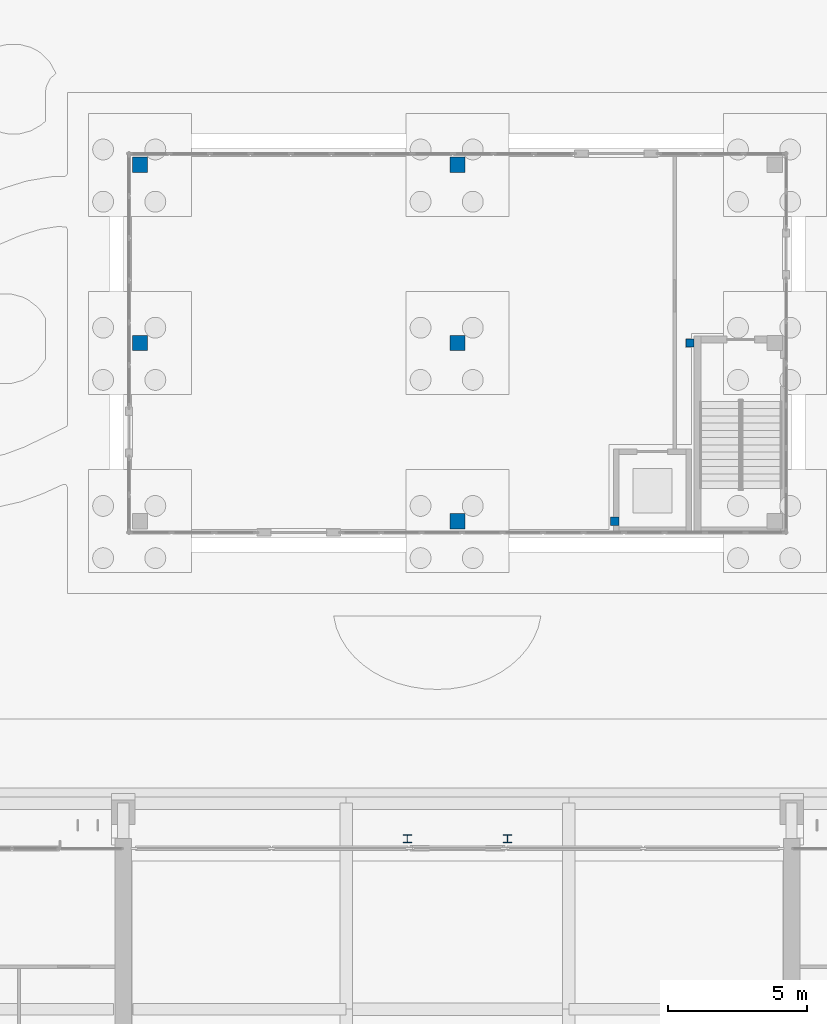
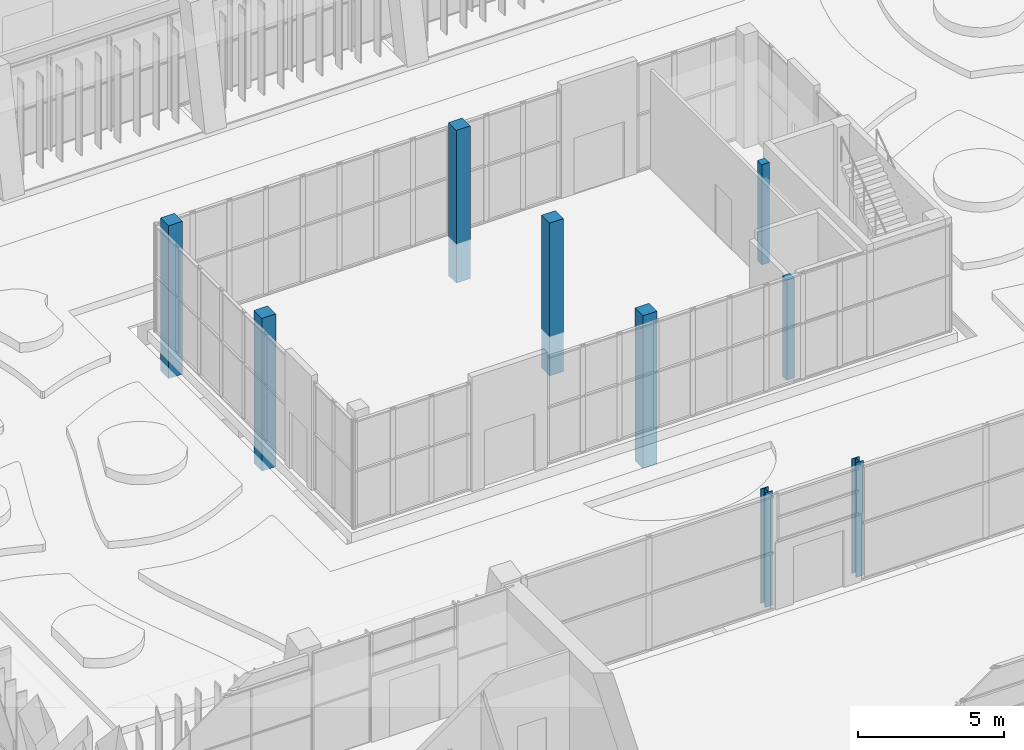
# One storey, part 21 of 144: 9 columns.
"""IFC4 building model written with IfcOpenShell, lengths in metres."""

from ifc_helpers import new_model, si_unit, direction, frame, origin, origin_2d, place, context, subcontext, project, spatial, rectangle, i_section, extrude, material, material_profile, profile_set, type_object, element, save


model = new_model("IFC4")

# Units and contexts
model_context = context("Model", 3, precision=1e-05, world=origin(), true_north=direction((0.0, 1.0)))
body_context = subcontext(model_context, "Body", "Model", "MODEL_VIEW")
ifc_project = project(units=[si_unit("LENGTHUNIT", "METRE"), si_unit("AREAUNIT", "SQUARE_METRE"), si_unit("VOLUMEUNIT", "CUBIC_METRE"), si_unit("PLANEANGLEUNIT", "RADIAN"), si_unit("MASSUNIT", "GRAM", prefix="KILO")], contexts=[model_context])

# Site, building, storey
site_placement = place(None, origin())
site = spatial("IfcSite", under=ifc_project, at=site_placement, CompositionType="ELEMENT")
building_placement = place(site_placement, origin())
building = spatial("IfcBuilding", under=site, at=building_placement, Name="Lantern Court Media Centre", CompositionType="ELEMENT")
storey_placement = place(building_placement, origin())
storey = spatial("IfcBuildingStorey", under=building, at=storey_placement, Name="L00", CompositionType="ELEMENT", Elevation=0.0)

# Columns
ifc_material_1 = material(Name="Steel S355J2 (EN 10025-2)", Category="steel")
ifc_material_profile_1 = material_profile(ifc_material_1, i_section(OverallWidth=0.300048828125, OverallDepth=0.300048828125, WebThickness=0.010986328125, FlangeThickness=0.01904296875, FilletRadius=0.027099609375, at=origin_2d()), Name="HEB 300")
ifc_profile_set_1 = profile_set([ifc_material_profile_1], Name="Steel S355J2 (EN 10025-2)")
column_type_1 = type_object("IfcColumnType", Name="Court bridge pier HEB 300", PredefinedType="COLUMN", material=ifc_profile_set_1)
for number, where, z_axis, x_axis, name in (
    (1, (50.199951171875, 62.199951171875, 0.0), (0.0, 0.0, 1.0), (1.0, 0.0, 0.0), "Court bridge bearing pier 1 lower"),
    (2, (53.800048828125, 62.199951171875, 0.0), (0.0, 0.0, 1.0), (1.0, 0.0, 0.0), "Court bridge bearing pier 2 lower"),
):
    element("IfcColumn", number, at=place(storey_placement, frame(where, z_axis=z_axis, x_axis=x_axis)), inside=storey, type_object=column_type_1, Name=name, PredefinedType="COLUMN", context=body_context, shape_type="SweptSolid", body=[
        extrude(i_section(OverallWidth=0.300048828125, OverallDepth=0.300048828125, WebThickness=0.010986328125, FlangeThickness=0.01904296875, FilletRadius=0.027099609375, at=origin_2d()), origin(), (0.0, 0.0, 1.0), 4.800048828125),
    ])
ifc_material_2 = material(Name="Concrete C35", Category="concrete")
ifc_material_profile_2 = material_profile(ifc_material_2, rectangle(XDim=0.300048828125, YDim=0.300048828125, at=origin_2d()), Name="RC 300x300")
ifc_profile_set_2 = profile_set([ifc_material_profile_2], Name="Concrete C35")
column_type_2 = type_object("IfcColumnType", Name="RC COLUMN 300x300", PredefinedType="COLUMN", material=ifc_profile_set_2)
for number, where, z_axis, x_axis, name in (
    (3, (57.64990234375, 73.60009765625, 0.0), (0.0, 0.0, 1.0), (1.0, 0.0, 0.0), "C-PRESS-EB-01-L00"),
    (4, (60.35009765625, 80.0, 0.0), (0.0, 0.0, 1.0), (1.0, 0.0, 0.0), "C-PRESS-EB-11-L00"),
):
    element("IfcColumn", number, at=place(storey_placement, frame(where, z_axis=z_axis, x_axis=x_axis)), inside=storey, type_object=column_type_2, Name=name, PredefinedType="COLUMN", context=body_context, shape_type="SweptSolid", body=[
        extrude(rectangle(XDim=0.300048828125, YDim=0.300048828125, at=origin_2d()), origin(), (0.0, 0.0, 1.0), 4.199951171875),
    ])
ifc_material_profile_3 = material_profile(ifc_material_2, rectangle(XDim=0.550048828125, YDim=0.550048828125, at=origin_2d()), Name="RC 550x550")
ifc_profile_set_3 = profile_set([ifc_material_profile_3], Name="Concrete C35")
column_type_3 = type_object("IfcColumnType", Name="RC COLUMN 550x550", PredefinedType="COLUMN", material=ifc_profile_set_3)
for number, where, z_axis, x_axis, name in (
    (5, (40.60009765625, 80.0, -1.60009765625), (0.0, 0.0, 1.0), (1.0, 0.0, 0.0), "C-PRESS-01-L00"),
    (6, (40.60009765625, 86.39990234375, -1.60009765625), (0.0, 0.0, 1.0), (1.0, 0.0, 0.0), "C-PRESS-02-L00"),
    (7, (52.0, 73.60009765625, -1.60009765625), (0.0, 0.0, 1.0), (1.0, 0.0, 0.0), "C-PRESS-10-L00"),
    (8, (52.0, 80.0, -1.60009765625), (0.0, 0.0, 1.0), (1.0, 0.0, 0.0), "C-PRESS-11-L00"),
    (9, (52.0, 86.39990234375, -1.60009765625), (0.0, 0.0, 1.0), (1.0, 0.0, 0.0), "C-PRESS-12-L00"),
):
    element("IfcColumn", number, at=place(storey_placement, frame(where, z_axis=z_axis, x_axis=x_axis)), inside=storey, type_object=column_type_3, Name=name, PredefinedType="COLUMN", context=body_context, shape_type="SweptSolid", body=[
        extrude(rectangle(XDim=0.550048828125, YDim=0.550048828125, at=origin_2d()), origin(), (0.0, 0.0, 1.0), 6.400146484375),
    ])

save(model, "model.ifc")
